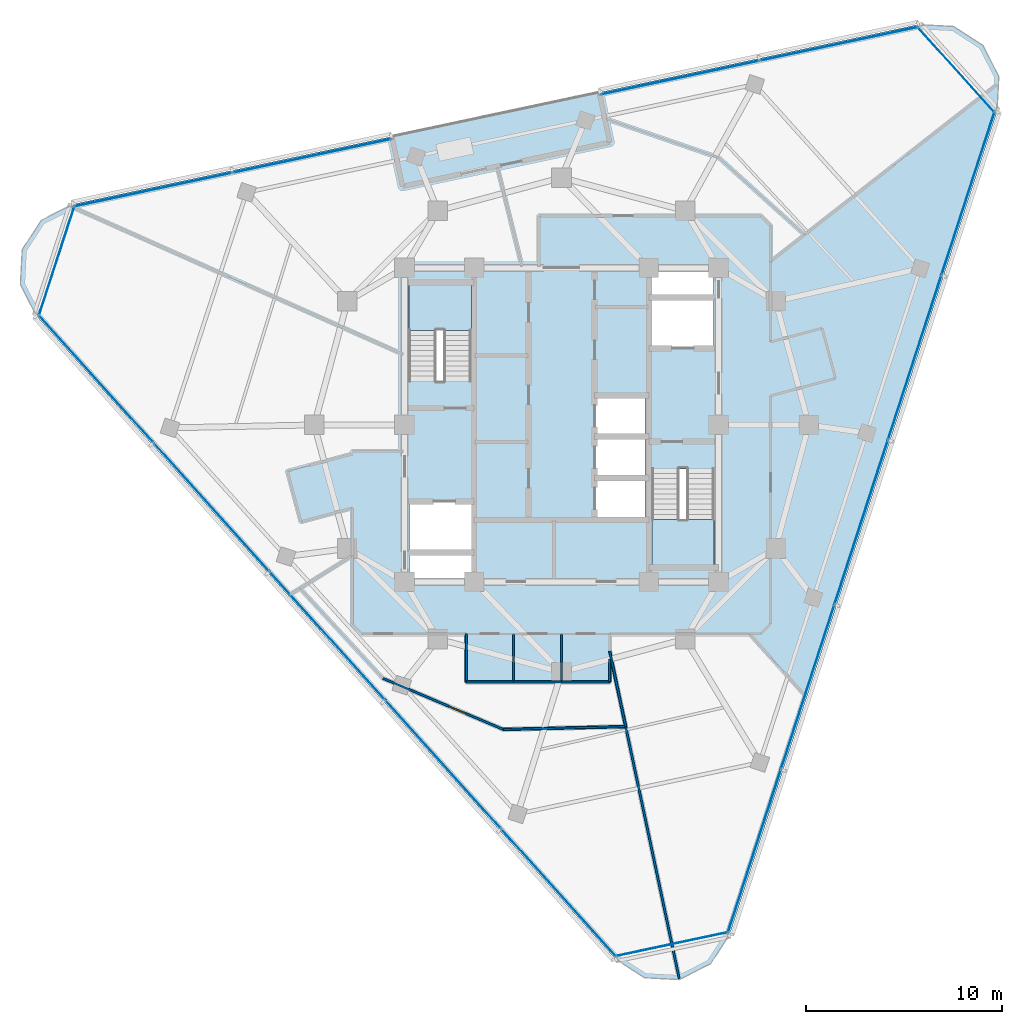
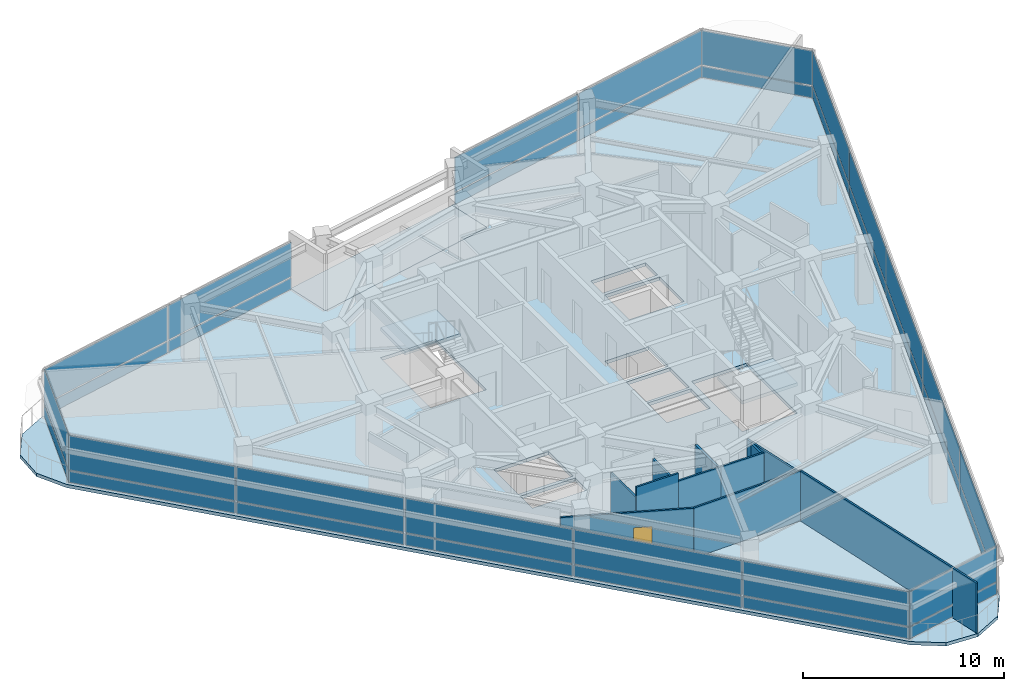
# One storey, part 7 of 15: 34 plates, 11 walls, 4 slabs, 1 door, 1 opening, 9 elements without a shape of their own.
"""IFC4 building model written with IfcOpenShell, lengths in metres."""

from ifc_helpers import new_model, si_unit, direction, frame, frame_2d, origin, origin_2d, place, context, subcontext, project, spatial, polyline, rectangle, outline, extrude, material, layer, layer_set, type_object, element, fill, aggregate, save


model = new_model("IFC4")

# Units and contexts
model_context = context("Model", 3, precision=1e-05, world=origin(), true_north=direction((0.0, 1.0)))
body_context = subcontext(model_context, "Body", "Model", "MODEL_VIEW")
ifc_project = project(units=[si_unit("LENGTHUNIT", "METRE"), si_unit("AREAUNIT", "SQUARE_METRE"), si_unit("VOLUMEUNIT", "CUBIC_METRE"), si_unit("PLANEANGLEUNIT", "RADIAN"), si_unit("MASSUNIT", "GRAM", prefix="KILO")], contexts=[model_context])

# Site, building, storey
site_placement = place(None, origin())
site = spatial("IfcSite", under=ifc_project, at=site_placement, CompositionType="ELEMENT")
building_placement = place(site_placement, origin())
building = spatial("IfcBuilding", under=site, at=building_placement, Name="Terralouvre Media Tower", CompositionType="ELEMENT")
storey_placement = place(building_placement, frame((0.0, 0.0, 290.60009765625)))
storey = spatial("IfcBuildingStorey", under=building, at=storey_placement, Name="L75", CompositionType="ELEMENT", Elevation=290.60009765625)

# Slabs
ifc_material_1 = material(Name="Concrete C40/50", Category="concrete")
ifc_layer_1 = layer(ifc_material_1, 0.199951171875, Name="Composite Tower Floor Slab S-TYP200")
ifc_layer_set_1 = layer_set([ifc_layer_1], Name="Concrete C40/50")
slab_type_1 = type_object("IfcSlabType", Name="Composite Tower Floor Slab S-TYP200", PredefinedType="FLOOR", material=ifc_layer_set_1)
slab_1_placement = place(storey_placement, frame((0.0, 0.0, -0.2001953125), z_axis=(0.0, 0.0, 1.0), x_axis=(0.309016994375, 0.951056516295, 0.0)))
element("IfcSlab", 1, at=slab_1_placement, inside=storey, type_object=slab_type_1, Name="L75 Structural Floor Slab", PredefinedType="FLOOR", context=body_context, shape_type="SweptSolid", body=[
    extrude(outline(polyline([(25.0390625, -11.016357421875), (16.709228515625, 3.41162109375), (14.45751953125, 2.111572265625), (9.057373046875, 11.464599609375), (11.30908203125, 12.7646484375), (2.97900390625, 27.192626953125), (1.719970703125, 28.451904296875), (0.0, 28.91259765625), (-1.719970703125, 28.451904296875), (-2.97900390625, 27.192626953125), (-25.0390625, -11.016357421875), (-25.5, -12.736328125), (-25.0390625, -14.456298828125), (-23.780029296875, -15.715576171875), (-22.06005859375, -16.17626953125), (22.06005859375, -16.17626953125), (23.780029296875, -15.715576171875), (25.0390625, -14.456298828125), (25.5, -12.736328125), (25.0390625, -11.016357421875)]), holes=[polyline([(-7.698486328125, 2.33544921875), (-8.839599609375, 1.964599609375), (-9.813232421875, 4.96044921875), (-8.671875, 5.3310546875), (-7.698486328125, 2.33544921875)]), polyline([(-5.17822265625, 3.154296875), (-7.50830078125, 2.397216796875), (-8.481689453125, 5.39306640625), (-6.151611328125, 6.150146484375), (-5.17822265625, 3.154296875)]), polyline([(-5.483154296875, -6.618408203125), (-0.713623046875, -5.068603515625), (0.26904296875, -8.093017578125), (-4.50048828125, -9.642578125), (-5.483154296875, -6.618408203125)]), polyline([(-1.33056640625, -4.901123046875), (-3.17578125, -5.50048828125), (-3.9482421875, -3.122802734375), (-2.103271484375, -2.5234375), (-1.33056640625, -4.901123046875)]), polyline([(0.66650390625, -4.252197265625), (-1.178466796875, -4.8515625), (-1.950927734375, -2.473876953125), (-0.10595703125, -1.87451171875), (0.66650390625, -4.252197265625)]), polyline([(2.663818359375, -3.603271484375), (0.81884765625, -4.20263671875), (0.046142578125, -1.824951171875), (1.891357421875, -1.2255859375), (2.663818359375, -3.603271484375)]), polyline([(5.483154296875, 6.618408203125), (0.713623046875, 5.068603515625), (-0.26904296875, 8.093017578125), (4.50048828125, 9.642578125), (5.483154296875, 6.618408203125)]), polyline([(6.151611328125, -6.150146484375), (5.17822265625, -3.154296875), (7.50830078125, -2.397216796875), (8.481689453125, -5.39306640625), (6.151611328125, -6.150146484375)]), polyline([(8.671875, -5.3310546875), (7.698486328125, -2.33544921875), (8.839599609375, -1.964599609375), (9.813232421875, -4.96044921875), (8.671875, -5.3310546875)])]), origin(), (0.0, 0.0, 1.0), 0.2001953125),
])
ifc_material_2 = material(Name="Concrete C45/55", Category="concrete")
ifc_layer_2 = layer(ifc_material_2, 0.2099609375, Name="Planted Sky-Garden External Deck S-TER210")
ifc_layer_set_2 = layer_set([ifc_layer_2], Name="Concrete C45/55")
slab_type_2 = type_object("IfcSlabType", Name="Planted Sky-Garden External Deck S-TER210", PredefinedType="FLOOR", material=ifc_layer_set_2)
slab_2_placement = place(storey_placement, frame((0.0, 0.0, -0.210205078125), z_axis=(0.0, 0.0, 1.0), x_axis=(0.309016994375, 0.951056516295, 0.0)))
element("IfcSlab", 2, at=slab_2_placement, inside=storey, type_object=slab_type_2, Name="L75 Wind-Portal Aerodynamic Terrace Deck", PredefinedType="FLOOR", context=body_context, shape_type="SweptSolid", body=[
    extrude(outline(polyline([(16.709228515625, 3.41162109375), (11.30908203125, 12.7646484375), (9.057373046875, 11.464599609375), (14.45751953125, 2.111572265625), (16.709228515625, 3.41162109375)])), origin(), (0.0, 0.0, 1.0), 0.210205078125),
])

# Stair, slab
ifc_material_3 = material(Name="Concrete C45/55", Category="concrete")
stair_type_1 = type_object("IfcStairType", Name="Dogleg Stair Assembly ST-01", PredefinedType="HALF_TURN_STAIR", material=ifc_material_3)
stair_1_placement = place(storey_placement, origin())
stair_1 = element("IfcStair", 3, at=stair_1_placement, inside=storey, type_object=stair_type_1, Name="L75 Core Pressurised Exit Stair ST-01", PredefinedType="HALF_TURN_STAIR")
ifc_material_4 = material(Name="Concrete C45/55", Category="concrete")
ifc_layer_3 = layer(ifc_material_4, 0.199951171875, Name="Reinforced Concrete Stair Half-Landing SL-LD1")
ifc_layer_set_3 = layer_set([ifc_layer_3], Name="Concrete C45/55")
slab_type_3 = type_object("IfcSlabType", Name="Reinforced Concrete Stair Half-Landing SL-LD1", PredefinedType="LANDING", material=ifc_layer_set_3)
slab_3_placement = place(storey_placement, frame((0.0, 0.0, 1.64990234375)))
slab_3 = element("IfcSlab", 4, at=slab_3_placement, type_object=slab_type_3, Name="ST-01 landing 1", PredefinedType="LANDING", context=body_context, shape_type="SweptSolid", body=[
    extrude(outline(polyline([(-4.60009765625, 4.820068359375), (-4.60009765625, 7.260009765625), (-7.780029296875, 7.260009765625), (-7.780029296875, 4.820068359375), (-4.60009765625, 4.820068359375)])), origin(), (0.0, 0.0, 1.0), 0.199951171875),
])
aggregate(stair_1, [slab_3])

ifc_material_5 = material(Name="Concrete C45/55", Category="concrete")
stair_type_2 = type_object("IfcStairType", Name="Dogleg Stair Assembly ST-02", PredefinedType="HALF_TURN_STAIR", material=ifc_material_5)
stair_2_placement = place(storey_placement, origin())
stair_2 = element("IfcStair", 5, at=stair_2_placement, inside=storey, type_object=stair_type_2, Name="L75 Core Pressurised Exit Stair ST-02", PredefinedType="HALF_TURN_STAIR")
slab_4_placement = place(storey_placement, frame((0.0, 0.0, 1.64990234375)))
slab_4 = element("IfcSlab", 6, at=slab_4_placement, type_object=slab_type_3, Name="ST-02 landing 1", PredefinedType="LANDING", context=body_context, shape_type="SweptSolid", body=[
    extrude(outline(polyline([(4.60009765625, -4.820068359375), (4.60009765625, -7.260009765625), (7.780029296875, -7.260009765625), (7.780029296875, -4.820068359375), (4.60009765625, -4.820068359375)])), origin(), (0.0, 0.0, 1.0), 0.199951171875),
])
aggregate(stair_2, [slab_4])

# Curtain wall, plates
ifc_material_6 = material(Name="Low-iron laminated double glazing with solar-control coating", Category="glass")
ifc_layer_4 = layer(ifc_material_6, 0.1650390625, Name="Rounded Wind-Corner Curved Glazing CW-04")
ifc_layer_set_4 = layer_set([ifc_layer_4], Name="Low-iron laminated double glazing with solar-control coating")
curtain_wall_type_1 = type_object("IfcCurtainWallType", Name="Rounded Wind-Corner Curved Glazing CW-04", PredefinedType="NOTDEFINED", material=ifc_layer_set_4)
curtain_wall_1_placement = place(storey_placement, origin())
curtain_wall_1 = element("IfcCurtainWall", 7, at=curtain_wall_1_placement, inside=storey, type_object=curtain_wall_type_1, Name="L75 Rounded Wind-Corner Curtain Wall C0", PredefinedType="NOTDEFINED")
ifc_material_7 = material(Name="Low-iron laminated double glazing with solar-control coating", Category="glass")
ifc_layer_5 = layer(ifc_material_7, 0.0400390625, Name="Rounded Corner Laminated Vision Panel CWP-03")
ifc_layer_set_5 = layer_set([ifc_layer_5], Name="Low-iron laminated double glazing with solar-control coating")
plate_type_1 = type_object("IfcPlateType", Name="Rounded Corner Laminated Vision Panel CWP-03", PredefinedType="CURTAIN_PANEL", material=ifc_layer_set_5)
plate_1_placement = place(storey_placement, frame((5.62451171875, -26.46142578125, 0.074951171875), z_axis=(0.0, 0.0, 1.0), x_axis=(0.978147609922, 0.207911647592, 0.0)))
plate_1 = element("IfcPlate", 8, at=plate_1_placement, type_object=plate_type_1, Name="CW-04 panel 1.1", PredefinedType="CURTAIN_PANEL", context=body_context, shape_type="SweptSolid", body=[
    extrude(rectangle(XDim=5.808349609375, YDim=0.035888671875, at=origin_2d()), origin(), (0.0, 0.0, 1.0), 0.6875),
])
plate_2_placement = place(storey_placement, frame((5.62451171875, -26.46142578125, 0.83740234375), z_axis=(0.0, 0.0, 1.0), x_axis=(0.978147609922, 0.207911647592, 0.0)))
plate_2 = element("IfcPlate", 9, at=plate_2_placement, type_object=plate_type_1, Name="CW-04 panel 1.2", PredefinedType="CURTAIN_PANEL", context=body_context, shape_type="SweptSolid", body=[
    extrude(rectangle(XDim=5.808349609375, YDim=0.035888671875, at=origin_2d()), origin(), (0.0, 0.0, 1.0), 2.08740234375),
])
aggregate(curtain_wall_1, [plate_1, plate_2])

curtain_wall_2_placement = place(storey_placement, origin())
curtain_wall_2 = element("IfcCurtainWall", 10, at=curtain_wall_2_placement, inside=storey, type_object=curtain_wall_type_1, Name="L75 Rounded Wind-Corner Curtain Wall C1", PredefinedType="NOTDEFINED")
plate_3_placement = place(storey_placement, frame((20.10400390625, 18.101806640625, 0.074951171875), z_axis=(0.0, 0.0, 1.0), x_axis=(-0.669130231192, 0.743145163279, 0.0)))
plate_3 = element("IfcPlate", 11, at=plate_3_placement, type_object=plate_type_1, Name="CW-04 panel 1.1", PredefinedType="CURTAIN_PANEL", context=body_context, shape_type="SweptSolid", body=[
    extrude(rectangle(XDim=5.808349609375, YDim=0.035888671875, at=origin_2d()), origin(), (0.0, 0.0, 1.0), 0.6875),
])
plate_4_placement = place(storey_placement, frame((20.10400390625, 18.101806640625, 0.83740234375), z_axis=(0.0, 0.0, 1.0), x_axis=(-0.669130231192, 0.743145163279, 0.0)))
plate_4 = element("IfcPlate", 12, at=plate_4_placement, type_object=plate_type_1, Name="CW-04 panel 1.2", PredefinedType="CURTAIN_PANEL", context=body_context, shape_type="SweptSolid", body=[
    extrude(rectangle(XDim=5.808349609375, YDim=0.035888671875, at=origin_2d()), origin(), (0.0, 0.0, 1.0), 2.08740234375),
])
aggregate(curtain_wall_2, [plate_3, plate_4])

curtain_wall_3_placement = place(storey_placement, origin())
curtain_wall_3 = element("IfcCurtainWall", 13, at=curtain_wall_3_placement, inside=storey, type_object=curtain_wall_type_1, Name="L75 Rounded Wind-Corner Curtain Wall C2", PredefinedType="NOTDEFINED")
plate_5_placement = place(storey_placement, frame((-25.728759765625, 8.359619140625, 0.074951171875), z_axis=(0.0, 0.0, 1.0), x_axis=(-0.30901654693, -0.951056661679, 0.0)))
plate_5 = element("IfcPlate", 14, at=plate_5_placement, type_object=plate_type_1, Name="CW-04 panel 1.1", PredefinedType="CURTAIN_PANEL", context=body_context, shape_type="SweptSolid", body=[
    extrude(rectangle(XDim=5.808349609375, YDim=0.035888671875, at=origin_2d()), origin(), (0.0, 0.0, 1.0), 0.6875),
])
plate_6_placement = place(storey_placement, frame((-25.728759765625, 8.359619140625, 0.83740234375), z_axis=(0.0, 0.0, 1.0), x_axis=(-0.30901654693, -0.951056661679, 0.0)))
plate_6 = element("IfcPlate", 15, at=plate_6_placement, type_object=plate_type_1, Name="CW-04 panel 1.2", PredefinedType="CURTAIN_PANEL", context=body_context, shape_type="SweptSolid", body=[
    extrude(rectangle(XDim=5.808349609375, YDim=0.035888671875, at=origin_2d()), origin(), (0.0, 0.0, 1.0), 2.08740234375),
])
aggregate(curtain_wall_3, [plate_5, plate_6])

ifc_material_8 = material(Name="Low-iron laminated double glazing with solar-control coating", Category="glass")
ifc_layer_6 = layer(ifc_material_8, 0.1650390625, Name="Faceted Glass-Point Crown Curtain Wall CW-06")
ifc_layer_set_6 = layer_set([ifc_layer_6], Name="Low-iron laminated double glazing with solar-control coating")
curtain_wall_type_2 = type_object("IfcCurtainWallType", Name="Faceted Glass-Point Crown Curtain Wall CW-06", PredefinedType="NOTDEFINED", material=ifc_layer_set_6)
curtain_wall_4_placement = place(storey_placement, origin())
curtain_wall_4 = element("IfcCurtainWall", 16, at=curtain_wall_4_placement, inside=storey, type_object=curtain_wall_type_2, Name="L75 Facade Curtain Wall F0", PredefinedType="NOTDEFINED")
ifc_material_9 = material(Name="Low-iron laminated double glazing with solar-control coating", Category="glass")
ifc_layer_7 = layer(ifc_material_9, 0.035888671875, Name="Vision Double-Glazed Unit CWP-01")
ifc_layer_set_7 = layer_set([ifc_layer_7], Name="Low-iron laminated double glazing with solar-control coating")
plate_type_2 = type_object("IfcPlateType", Name="Vision Double-Glazed Unit CWP-01", PredefinedType="CURTAIN_PANEL", material=ifc_layer_set_7)
plate_7_placement = place(storey_placement, frame((9.82275390625, -21.72802734375, 0.074951171875), z_axis=(0.0, 0.0, 1.0), x_axis=(0.309017021946, 0.951056507337, 0.0)))
plate_7 = element("IfcPlate", 17, at=plate_7_placement, type_object=plate_type_2, Name="CW-06 panel 1.1", PredefinedType="CURTAIN_PANEL", context=body_context, shape_type="SweptSolid", body=[
    extrude(rectangle(XDim=8.71142578125, YDim=0.035888671875, at=origin_2d()), origin(), (0.0, 0.0, 1.0), 0.6875),
])
plate_8_placement = place(storey_placement, frame((9.82275390625, -21.72802734375, 0.83740234375), z_axis=(0.0, 0.0, 1.0), x_axis=(0.309017021946, 0.951056507337, 0.0)))
plate_8 = element("IfcPlate", 18, at=plate_8_placement, type_object=plate_type_2, Name="CW-06 panel 1.2", PredefinedType="CURTAIN_PANEL", context=body_context, shape_type="SweptSolid", body=[
    extrude(rectangle(XDim=8.71142578125, YDim=0.035888671875, at=origin_2d()), origin(), (0.0, 0.0, 1.0), 2.08740234375),
])
plate_9_placement = place(storey_placement, frame((12.543701171875, -13.353759765625, 0.074951171875), z_axis=(0.0, 0.0, 1.0), x_axis=(0.309017021946, 0.951056507337, 0.0)))
plate_9 = element("IfcPlate", 19, at=plate_9_placement, type_object=plate_type_2, Name="CW-06 panel 2.1", PredefinedType="CURTAIN_PANEL", context=body_context, shape_type="SweptSolid", body=[
    extrude(rectangle(XDim=8.7490234375, YDim=0.035888671875, at=origin_2d()), origin(), (0.0, 0.0, 1.0), 0.6875),
])
plate_10_placement = place(storey_placement, frame((12.543701171875, -13.353759765625, 0.83740234375), z_axis=(0.0, 0.0, 1.0), x_axis=(0.309017021946, 0.951056507337, 0.0)))
plate_10 = element("IfcPlate", 20, at=plate_10_placement, type_object=plate_type_2, Name="CW-06 panel 2.2", PredefinedType="CURTAIN_PANEL", context=body_context, shape_type="SweptSolid", body=[
    extrude(rectangle(XDim=8.7490234375, YDim=0.035888671875, at=origin_2d()), origin(), (0.0, 0.0, 1.0), 2.08740234375),
])
plate_11_placement = place(storey_placement, frame((15.2705078125, -4.961669921875, 0.074951171875), z_axis=(0.0, 0.0, 1.0), x_axis=(0.309017021946, 0.951056507337, 0.0)))
plate_11 = element("IfcPlate", 21, at=plate_11_placement, type_object=plate_type_2, Name="CW-06 panel 3.1", PredefinedType="CURTAIN_PANEL", context=body_context, shape_type="SweptSolid", body=[
    extrude(rectangle(XDim=8.7490234375, YDim=0.035888671875, at=origin_2d()), origin(), (0.0, 0.0, 1.0), 0.6875),
])
plate_12_placement = place(storey_placement, frame((15.2705078125, -4.961669921875, 0.83740234375), z_axis=(0.0, 0.0, 1.0), x_axis=(0.309017021946, 0.951056507337, 0.0)))
plate_12 = element("IfcPlate", 22, at=plate_12_placement, type_object=plate_type_2, Name="CW-06 panel 3.2", PredefinedType="CURTAIN_PANEL", context=body_context, shape_type="SweptSolid", body=[
    extrude(rectangle(XDim=8.7490234375, YDim=0.035888671875, at=origin_2d()), origin(), (0.0, 0.0, 1.0), 2.08740234375),
])
plate_13_placement = place(storey_placement, frame((17.997314453125, 3.430419921875, 0.074951171875), z_axis=(0.0, 0.0, 1.0), x_axis=(0.309017021946, 0.951056507337, 0.0)))
plate_13 = element("IfcPlate", 23, at=plate_13_placement, type_object=plate_type_2, Name="CW-06 panel 4.1", PredefinedType="CURTAIN_PANEL", context=body_context, shape_type="SweptSolid", body=[
    extrude(rectangle(XDim=8.7490234375, YDim=0.035888671875, at=origin_2d()), origin(), (0.0, 0.0, 1.0), 0.6875),
])
plate_14_placement = place(storey_placement, frame((17.997314453125, 3.430419921875, 0.83740234375), z_axis=(0.0, 0.0, 1.0), x_axis=(0.309017021946, 0.951056507337, 0.0)))
plate_14 = element("IfcPlate", 24, at=plate_14_placement, type_object=plate_type_2, Name="CW-06 panel 4.2", PredefinedType="CURTAIN_PANEL", context=body_context, shape_type="SweptSolid", body=[
    extrude(rectangle(XDim=8.7490234375, YDim=0.035888671875, at=origin_2d()), origin(), (0.0, 0.0, 1.0), 2.08740234375),
])
plate_15_placement = place(storey_placement, frame((20.71826171875, 11.8046875, 0.074951171875), z_axis=(0.0, 0.0, 1.0), x_axis=(0.309017021946, 0.951056507337, 0.0)))
plate_15 = element("IfcPlate", 25, at=plate_15_placement, type_object=plate_type_2, Name="CW-06 panel 5.1", PredefinedType="CURTAIN_PANEL", context=body_context, shape_type="SweptSolid", body=[
    extrude(rectangle(XDim=8.71142578125, YDim=0.035888671875, at=origin_2d()), origin(), (0.0, 0.0, 1.0), 0.6875),
])
plate_16_placement = place(storey_placement, frame((20.71826171875, 11.8046875, 0.83740234375), z_axis=(0.0, 0.0, 1.0), x_axis=(0.309017021946, 0.951056507337, 0.0)))
plate_16 = element("IfcPlate", 26, at=plate_16_placement, type_object=plate_type_2, Name="CW-06 panel 5.2", PredefinedType="CURTAIN_PANEL", context=body_context, shape_type="SweptSolid", body=[
    extrude(rectangle(XDim=8.71142578125, YDim=0.035888671875, at=origin_2d()), origin(), (0.0, 0.0, 1.0), 2.08740234375),
])
aggregate(curtain_wall_4, [plate_7, plate_8, plate_9, plate_10, plate_11, plate_12, plate_13, plate_14, plate_15, plate_16])

curtain_wall_5_placement = place(storey_placement, origin())
curtain_wall_5 = element("IfcCurtainWall", 27, at=curtain_wall_5_placement, inside=storey, type_object=curtain_wall_type_2, Name="L75 Left Flank Curtain Wall F1", PredefinedType="NOTDEFINED")
plate_17_placement = place(storey_placement, frame((14.147216796875, 19.422119140625, 0.074951171875), z_axis=(0.0, 0.0, 1.0), x_axis=(-0.978147588229, -0.207911749648, 0.0)))
plate_17 = element("IfcPlate", 28, at=plate_17_placement, type_object=plate_type_2, Name="CW-06 panel 1.1", PredefinedType="CURTAIN_PANEL", context=body_context, shape_type="SweptSolid", body=[
    extrude(rectangle(XDim=8.217529296875, YDim=0.035888671875, at=origin_2d()), origin(), (0.0, 0.0, 1.0), 0.6875),
])
plate_18_placement = place(storey_placement, frame((14.147216796875, 19.422119140625, 0.83740234375), z_axis=(0.0, 0.0, 1.0), x_axis=(-0.978147588229, -0.207911749648, 0.0)))
plate_18 = element("IfcPlate", 29, at=plate_18_placement, type_object=plate_type_2, Name="CW-06 panel 1.2", PredefinedType="CURTAIN_PANEL", context=body_context, shape_type="SweptSolid", body=[
    extrude(rectangle(XDim=8.217529296875, YDim=0.035888671875, at=origin_2d()), origin(), (0.0, 0.0, 1.0), 2.08740234375),
])
plate_19_placement = place(storey_placement, frame((6.0361328125, 17.697998046875, 0.074951171875), z_axis=(0.0, 0.0, 1.0), x_axis=(-0.978147588229, -0.207911749648, 0.0)))
plate_19 = element("IfcPlate", 30, at=plate_19_placement, type_object=plate_type_2, Name="CW-06 panel 2.1", PredefinedType="CURTAIN_PANEL", context=body_context, shape_type="SweptSolid", body=[
    extrude(rectangle(XDim=8.217529296875, YDim=0.035888671875, at=origin_2d()), origin(), (0.0, 0.0, 1.0), 0.6875),
])
plate_20_placement = place(storey_placement, frame((6.0361328125, 17.697998046875, 0.83740234375), z_axis=(0.0, 0.0, 1.0), x_axis=(-0.978147588229, -0.207911749648, 0.0)))
plate_20 = element("IfcPlate", 31, at=plate_20_placement, type_object=plate_type_2, Name="CW-06 panel 2.2", PredefinedType="CURTAIN_PANEL", context=body_context, shape_type="SweptSolid", body=[
    extrude(rectangle(XDim=8.217529296875, YDim=0.035888671875, at=origin_2d()), origin(), (0.0, 0.0, 1.0), 2.08740234375),
])
aggregate(curtain_wall_5, [plate_17, plate_18, plate_19, plate_20])

curtain_wall_6_placement = place(storey_placement, origin())
curtain_wall_6 = element("IfcCurtainWall", 32, at=curtain_wall_6_placement, inside=storey, type_object=curtain_wall_type_2, Name="L75 Right Flank Curtain Wall F1", PredefinedType="NOTDEFINED")
plate_21_placement = place(storey_placement, frame((-12.712646484375, 13.712890625, 0.074951171875), z_axis=(0.0, 0.0, 1.0), x_axis=(-0.978147684351, -0.20791129743, 0.0)))
plate_21 = element("IfcPlate", 33, at=plate_21_placement, type_object=plate_type_2, Name="CW-06 panel 1.1", PredefinedType="CURTAIN_PANEL", context=body_context, shape_type="SweptSolid", body=[
    extrude(rectangle(XDim=8.217529296875, YDim=0.035888671875, at=origin_2d()), origin(), (0.0, 0.0, 1.0), 0.6875),
])
plate_22_placement = place(storey_placement, frame((-12.712646484375, 13.712890625, 0.83740234375), z_axis=(0.0, 0.0, 1.0), x_axis=(-0.978147684351, -0.20791129743, 0.0)))
plate_22 = element("IfcPlate", 34, at=plate_22_placement, type_object=plate_type_2, Name="CW-06 panel 1.2", PredefinedType="CURTAIN_PANEL", context=body_context, shape_type="SweptSolid", body=[
    extrude(rectangle(XDim=8.217529296875, YDim=0.035888671875, at=origin_2d()), origin(), (0.0, 0.0, 1.0), 2.08740234375),
])
plate_23_placement = place(storey_placement, frame((-20.823974609375, 11.98876953125, 0.074951171875), z_axis=(0.0, 0.0, 1.0), x_axis=(-0.978147684351, -0.20791129743, 0.0)))
plate_23 = element("IfcPlate", 35, at=plate_23_placement, type_object=plate_type_2, Name="CW-06 panel 2.1", PredefinedType="CURTAIN_PANEL", context=body_context, shape_type="SweptSolid", body=[
    extrude(rectangle(XDim=8.217529296875, YDim=0.035888671875, at=origin_2d()), origin(), (0.0, 0.0, 1.0), 0.6875),
])
plate_24_placement = place(storey_placement, frame((-20.823974609375, 11.98876953125, 0.83740234375), z_axis=(0.0, 0.0, 1.0), x_axis=(-0.978147684351, -0.20791129743, 0.0)))
plate_24 = element("IfcPlate", 36, at=plate_24_placement, type_object=plate_type_2, Name="CW-06 panel 2.2", PredefinedType="CURTAIN_PANEL", context=body_context, shape_type="SweptSolid", body=[
    extrude(rectangle(XDim=8.217529296875, YDim=0.035888671875, at=origin_2d()), origin(), (0.0, 0.0, 1.0), 2.08740234375),
])
aggregate(curtain_wall_6, [plate_21, plate_22, plate_23, plate_24])

curtain_wall_7_placement = place(storey_placement, origin())
curtain_wall_7 = element("IfcCurtainWall", 37, at=curtain_wall_7_placement, inside=storey, type_object=curtain_wall_type_2, Name="L75 Facade Curtain Wall F2", PredefinedType="NOTDEFINED")
plate_25_placement = place(storey_placement, frame((-23.728515625, 2.357177734375, 0.074951171875), z_axis=(0.0, 0.0, 1.0), x_axis=(0.669130573531, -0.743144855036, 0.0)))
plate_25 = element("IfcPlate", 38, at=plate_25_placement, type_object=plate_type_2, Name="CW-06 panel 1.1", PredefinedType="CURTAIN_PANEL", context=body_context, shape_type="SweptSolid", body=[
    extrude(rectangle(XDim=8.71142578125, YDim=0.035888671875, at=origin_2d()), origin(), (0.0, 0.0, 1.0), 0.6875),
])
plate_26_placement = place(storey_placement, frame((-23.728515625, 2.357177734375, 0.83740234375), z_axis=(0.0, 0.0, 1.0), x_axis=(0.669130573531, -0.743144855036, 0.0)))
plate_26 = element("IfcPlate", 39, at=plate_26_placement, type_object=plate_type_2, Name="CW-06 panel 1.2", PredefinedType="CURTAIN_PANEL", context=body_context, shape_type="SweptSolid", body=[
    extrude(rectangle(XDim=8.71142578125, YDim=0.035888671875, at=origin_2d()), origin(), (0.0, 0.0, 1.0), 2.08740234375),
])
plate_27_placement = place(storey_placement, frame((-17.836669921875, -4.186279296875, 0.074951171875), z_axis=(0.0, 0.0, 1.0), x_axis=(0.669130573531, -0.743144855036, 0.0)))
plate_27 = element("IfcPlate", 40, at=plate_27_placement, type_object=plate_type_2, Name="CW-06 panel 2.1", PredefinedType="CURTAIN_PANEL", context=body_context, shape_type="SweptSolid", body=[
    extrude(rectangle(XDim=8.7490234375, YDim=0.035888671875, at=origin_2d()), origin(), (0.0, 0.0, 1.0), 0.6875),
])
plate_28_placement = place(storey_placement, frame((-17.836669921875, -4.186279296875, 0.83740234375), z_axis=(0.0, 0.0, 1.0), x_axis=(0.669130573531, -0.743144855036, 0.0)))
plate_28 = element("IfcPlate", 41, at=plate_28_placement, type_object=plate_type_2, Name="CW-06 panel 2.2", PredefinedType="CURTAIN_PANEL", context=body_context, shape_type="SweptSolid", body=[
    extrude(rectangle(XDim=8.7490234375, YDim=0.035888671875, at=origin_2d()), origin(), (0.0, 0.0, 1.0), 2.08740234375),
])
plate_29_placement = place(storey_placement, frame((-11.93212890625, -10.743896484375, 0.074951171875), z_axis=(0.0, 0.0, 1.0), x_axis=(0.669130573531, -0.743144855036, 0.0)))
plate_29 = element("IfcPlate", 42, at=plate_29_placement, type_object=plate_type_2, Name="CW-06 panel 3.1", PredefinedType="CURTAIN_PANEL", context=body_context, shape_type="SweptSolid", body=[
    extrude(rectangle(XDim=8.7490234375, YDim=0.035888671875, at=origin_2d()), origin(), (0.0, 0.0, 1.0), 0.6875),
])
plate_30_placement = place(storey_placement, frame((-11.93212890625, -10.743896484375, 0.83740234375), z_axis=(0.0, 0.0, 1.0), x_axis=(0.669130573531, -0.743144855036, 0.0)))
plate_30 = element("IfcPlate", 43, at=plate_30_placement, type_object=plate_type_2, Name="CW-06 panel 3.2", PredefinedType="CURTAIN_PANEL", context=body_context, shape_type="SweptSolid", body=[
    extrude(rectangle(XDim=8.7490234375, YDim=0.035888671875, at=origin_2d()), origin(), (0.0, 0.0, 1.0), 2.08740234375),
])
plate_31_placement = place(storey_placement, frame((-6.02783203125, -17.30126953125, 0.074951171875), z_axis=(0.0, 0.0, 1.0), x_axis=(0.669130573531, -0.743144855036, 0.0)))
plate_31 = element("IfcPlate", 44, at=plate_31_placement, type_object=plate_type_2, Name="CW-06 panel 4.1", PredefinedType="CURTAIN_PANEL", context=body_context, shape_type="SweptSolid", body=[
    extrude(rectangle(XDim=8.7490234375, YDim=0.035888671875, at=origin_2d()), origin(), (0.0, 0.0, 1.0), 0.6875),
])
plate_32_placement = place(storey_placement, frame((-6.02783203125, -17.30126953125, 0.83740234375), z_axis=(0.0, 0.0, 1.0), x_axis=(0.669130573531, -0.743144855036, 0.0)))
plate_32 = element("IfcPlate", 45, at=plate_32_placement, type_object=plate_type_2, Name="CW-06 panel 4.2", PredefinedType="CURTAIN_PANEL", context=body_context, shape_type="SweptSolid", body=[
    extrude(rectangle(XDim=8.7490234375, YDim=0.035888671875, at=origin_2d()), origin(), (0.0, 0.0, 1.0), 2.08740234375),
])
plate_33_placement = place(storey_placement, frame((-0.135986328125, -23.844970703125, 0.074951171875), z_axis=(0.0, 0.0, 1.0), x_axis=(0.669130573531, -0.743144855036, 0.0)))
plate_33 = element("IfcPlate", 46, at=plate_33_placement, type_object=plate_type_2, Name="CW-06 panel 5.1", PredefinedType="CURTAIN_PANEL", context=body_context, shape_type="SweptSolid", body=[
    extrude(rectangle(XDim=8.71142578125, YDim=0.035888671875, at=origin_2d()), origin(), (0.0, 0.0, 1.0), 0.6875),
])
plate_34_placement = place(storey_placement, frame((-0.135986328125, -23.844970703125, 0.83740234375), z_axis=(0.0, 0.0, 1.0), x_axis=(0.669130573531, -0.743144855036, 0.0)))
plate_34 = element("IfcPlate", 47, at=plate_34_placement, type_object=plate_type_2, Name="CW-06 panel 5.2", PredefinedType="CURTAIN_PANEL", context=body_context, shape_type="SweptSolid", body=[
    extrude(rectangle(XDim=8.71142578125, YDim=0.035888671875, at=origin_2d()), origin(), (0.0, 0.0, 1.0), 2.08740234375),
])
aggregate(curtain_wall_7, [plate_25, plate_26, plate_27, plate_28, plate_29, plate_30, plate_31, plate_32, plate_33, plate_34])

# Walls
ifc_material_10 = material(Name="Low-iron laminated double glazing with solar-control coating", Category="glass")
ifc_layer_8 = layer(ifc_material_10, 0.10009765625, Name="Demountable Glazed Office Partition PT-GL100")
ifc_layer_set_8 = layer_set([ifc_layer_8], Name="Low-iron laminated double glazing with solar-control coating")
wall_type_1 = type_object("IfcWallType", Name="Demountable Glazed Office Partition PT-GL100", PredefinedType="MOVABLE", material=ifc_layer_set_8)
wall_1_placement = place(storey_placement, frame((-2.449951171875, -13.10009765625, 0.0), z_axis=(0.0, 0.0, 1.0), x_axis=(-1.0, 0.0, 0.0)))
element("IfcWall", 48, at=wall_1_placement, inside=storey, type_object=wall_type_1, Name="L75 Interior Partition 030", PredefinedType="MOVABLE", context=body_context, shape_type="SweptSolid", body=[
    extrude(rectangle(XDim=2.400146484375, YDim=0.10009765625, at=frame_2d((1.2001953125, 0.0))), origin(), (0.0, 0.0, 1.0), 3.5),
])
wall_2_placement = place(storey_placement, frame((-4.85009765625, -13.10009765625, 0.0), z_axis=(0.0, 0.0, 1.0), x_axis=(0.0, 1.0, 0.0)))
element("IfcWall", 49, at=wall_2_placement, inside=storey, type_object=wall_type_1, Name="L75 Interior Partition 031", PredefinedType="MOVABLE", context=body_context, shape_type="SweptSolid", body=[
    extrude(rectangle(XDim=2.4501953125, YDim=0.10009765625, at=frame_2d((1.22509765625, 0.0))), origin(), (0.0, 0.0, 1.0), 2.885009765625),
])
wall_3_placement = place(storey_placement, frame((0.0, -13.10009765625, 0.0), z_axis=(0.0, 0.0, 1.0), x_axis=(-1.0, 0.0, 0.0)))
element("IfcWall", 50, at=wall_3_placement, inside=storey, type_object=wall_type_1, Name="L75 Interior Partition 032", PredefinedType="MOVABLE", context=body_context, shape_type="SweptSolid", body=[
    extrude(rectangle(XDim=2.449951171875, YDim=0.10009765625, at=frame_2d((1.22509765625, 0.0))), origin(), (0.0, 0.0, 1.0), 3.034912109375),
])

# Wall, opening, door
wall_4_placement = place(storey_placement, frame((-9.10009765625, -12.916015625, 0.0), z_axis=(0.0, 0.0, 1.0), x_axis=(0.920506675175, -0.390726836752, 0.0)))
wall_4 = element("IfcWall", 51, at=wall_4_placement, inside=storey, type_object=wall_type_1, Name="L75 Interior Partition 034", PredefinedType="MOVABLE", context=body_context, shape_type="SweptSolid", body=[
    extrude(rectangle(XDim=6.659423828125, YDim=0.10009765625, at=frame_2d((3.32958984375, 0.0))), origin(), (0.0, 0.0, 1.0), 3.034912109375),
])
opening_placement = place(wall_4_placement, frame((3.668701171875, 0.0, 0.0)))
opening = element("IfcOpeningElement", 52, at=opening_placement, cuts=wall_4, Name="Opening ID-03-92X210", PredefinedType="OPENING", context=body_context, shape_type="SweptSolid", body=[
    extrude(rectangle(XDim=0.919921875, YDim=2.10009765625, at=frame_2d((0.4599609375, 1.050048828125))), frame((0.0, 0.06005859375, 0.0), z_axis=(0.0, -1.0, 0.0), x_axis=(1.0, 0.0, 0.0)), (0.0, 0.0, 1.0), 0.1201171875),
])
ifc_material_11 = material(Name="Engineered hardwood acoustic timber leaf", Category="wood")
door_type = type_object("IfcDoorType", Name="Accessible Restroom and Suite Door ID-03 (920x2100)", OperationType="NOTDEFINED", PredefinedType="DOOR", material=ifc_material_11)
door_placement = place(opening_placement, origin())
door = element("IfcDoor", 53, at=door_placement, inside=storey, type_object=door_type, Name="L75 Broadcast Ethics Seminar Room 4 Door", OperationType="SINGLE_SWING_LEFT", OverallHeight=2.10009765625, OverallWidth=0.919921875, PredefinedType="DOOR", context=body_context, shape_type="SweptSolid", body=[
    extrude(rectangle(XDim=0.919921875, YDim=2.10009765625, at=frame_2d((0.4599609375, 1.050048828125))), frame((0.0, 0.02490234375, 0.0), z_axis=(0.0, -1.0, 0.0), x_axis=(1.0, 0.0, 0.0)), (0.0, 0.0, 1.0), 0.050048828125),
])
fill(opening, door)

# Walls
wall_5_placement = place(storey_placement, frame((-2.969970703125, -15.51806640625, 0.0), z_axis=(0.0, 0.0, 1.0), x_axis=(0.99972988351, 0.023241342836, 0.0)))
element("IfcWall", 54, at=wall_5_placement, inside=storey, type_object=wall_type_1, Name="L75 Interior Partition 035", PredefinedType="MOVABLE", context=body_context, shape_type="SweptSolid", body=[
    extrude(rectangle(XDim=6.23974609375, YDim=0.10009765625, at=frame_2d((3.119873046875, 0.0))), origin(), (0.0, 0.0, 1.0), 3.034912109375),
])
wall_6_placement = place(storey_placement, frame((2.449951171875, -11.9345703125, 0.0), z_axis=(0.0, 0.0, 1.0), x_axis=(0.0, -1.0, 0.0)))
element("IfcWall", 55, at=wall_6_placement, inside=storey, type_object=wall_type_1, Name="L75 Interior Partition 036", PredefinedType="MOVABLE", context=body_context, shape_type="SweptSolid", body=[
    extrude(rectangle(XDim=1.16552734375, YDim=0.10009765625, at=frame_2d((0.582763671875, 0.0))), origin(), (0.0, 0.0, 1.0), 2.885009765625),
])
wall_7_placement = place(storey_placement, frame((2.449951171875, -13.10009765625, 0.0), z_axis=(0.0, 0.0, 1.0), x_axis=(-1.0, 0.0, 0.0)))
element("IfcWall", 56, at=wall_7_placement, inside=storey, type_object=wall_type_1, Name="L75 Interior Partition 037", PredefinedType="MOVABLE", context=body_context, shape_type="SweptSolid", body=[
    extrude(rectangle(XDim=2.449951171875, YDim=0.10009765625, at=frame_2d((1.22509765625, 0.0))), origin(), (0.0, 0.0, 1.0), 3.034912109375),
])
wall_8_placement = place(storey_placement, frame((3.26806640625, -15.373046875, 0.0), z_axis=(0.0, 0.0, 1.0), x_axis=(-0.208002774368, 0.978128235895, 0.0)))
element("IfcWall", 57, at=wall_8_placement, inside=storey, type_object=wall_type_1, Name="L75 Interior Partition 038", PredefinedType="MOVABLE", context=body_context, shape_type="SweptSolid", body=[
    extrude(rectangle(XDim=3.93310546875, YDim=0.10009765625, at=frame_2d((1.966552734375, 0.0))), origin(), (0.0, 0.0, 1.0), 2.885009765625),
])
wall_9_placement = place(storey_placement, frame((5.99365234375, -28.19970703125, 0.0), z_axis=(0.0, 0.0, 1.0), x_axis=(-0.20785296635, 0.978160081162, 0.0)))
element("IfcWall", 58, at=wall_9_placement, inside=storey, type_object=wall_type_1, Name="L75 Interior Partition 041", PredefinedType="MOVABLE", context=body_context, shape_type="SweptSolid", body=[
    extrude(rectangle(XDim=13.113037109375, YDim=0.10009765625, at=frame_2d((6.556640625, 0.0))), origin(), (0.0, 0.0, 1.0), 3.034912109375),
])
ifc_material_12 = material(Name="Fire-rated gypsum board drywall partition")
ifc_layer_9 = layer(ifc_material_12, 0.114990234375, Name="Restroom and Pantry Partition PT-115")
ifc_layer_set_9 = layer_set([ifc_layer_9], Name="Fire-rated gypsum board drywall partition")
wall_type_2 = type_object("IfcWallType", Name="Restroom and Pantry Partition PT-115", PredefinedType="PARTITIONING", material=ifc_layer_set_9)
for number, where, z_axis, x_axis, name in (
    (59, (-2.449951171875, -13.10009765625, 0.0), (0.0, 0.0, 1.0), (0.0, 1.0, 0.0), "L75 Interior Partition 039"),
    (60, (0.0, -13.10009765625, 0.0), (0.0, 0.0, 1.0), (0.0, 1.0, 0.0), "L75 Interior Partition 040"),
):
    element("IfcWall", number, at=place(storey_placement, frame(where, z_axis=z_axis, x_axis=x_axis)), inside=storey, type_object=wall_type_2, Name=name, PredefinedType="PARTITIONING", context=body_context, shape_type="SweptSolid", body=[
        extrude(rectangle(XDim=2.4501953125, YDim=0.114990234375, at=frame_2d((1.22509765625, 0.0))), origin(), (0.0, 0.0, 1.0), 2.885009765625),
    ])

save(model, "model.ifc")
